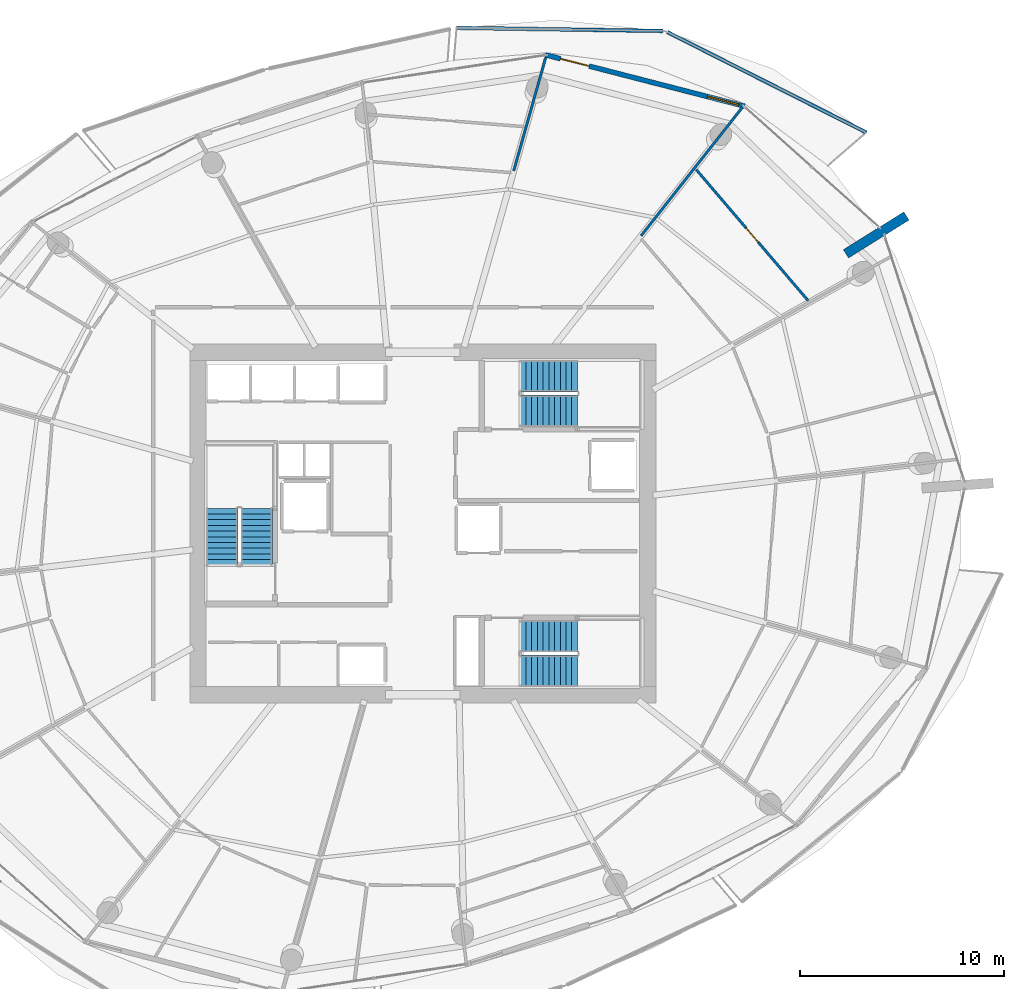
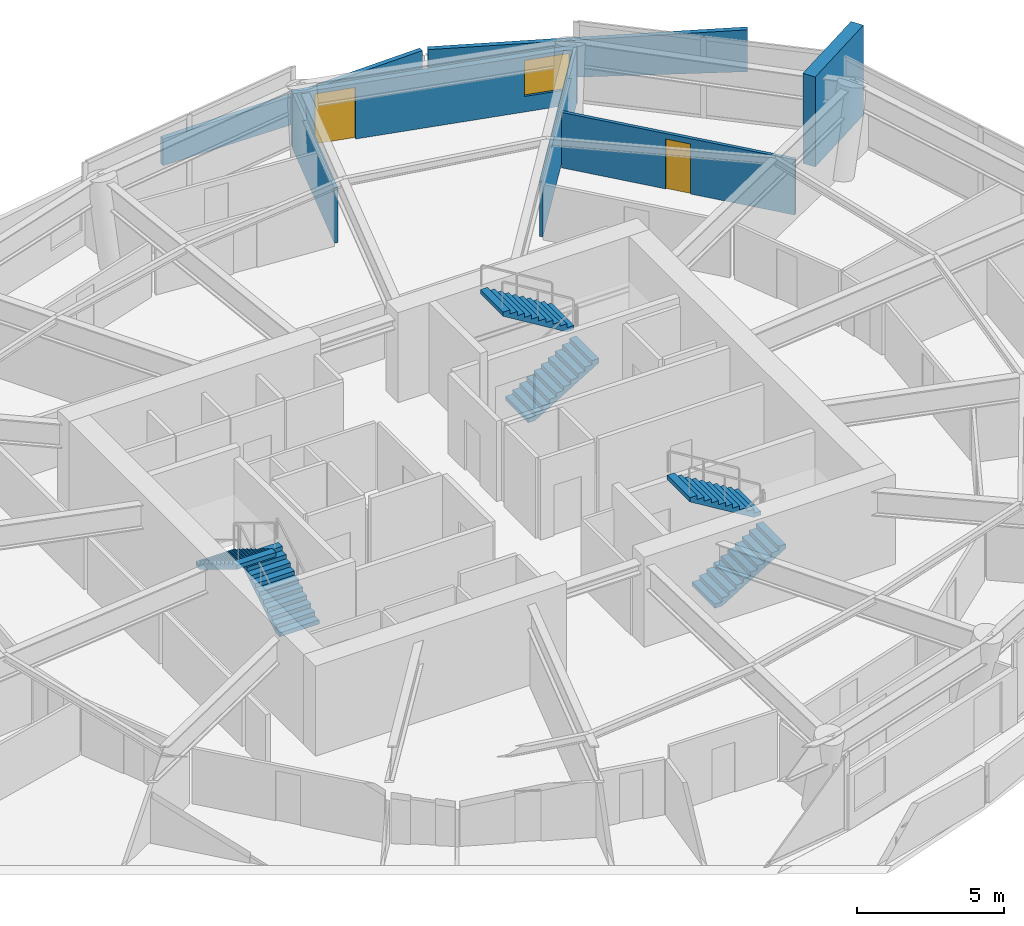
# One storey, part 14 of 19: 7 walls, 6 stair flights, 2 doors, 1 window, 3 openings, 3 elements without a shape of their own.
"""IFC4 building model written with IfcOpenShell, lengths in metres."""

import ifcopenshell
import ifcopenshell.guid

model = None  # the IFC model being written
_history = None  # IfcOwnerHistory: only IFC2X3 demands one
_inside = {}  # id of a spatial element -> (the spatial element, [elements in it])
_under = {}  # id of a project, library or spatial element -> (it, [spatial elements below it])
_declared = {}  # id of a project -> (the project, [libraries it declares])
_typed = {}  # id of a type object -> (the type object, [elements of that type])
_made_of = {}  # id of a material, layer set ... -> (it, [elements and type objects made of it])


def new_model(schema):
    """Start an empty IFC model of exactly this schema.

    Asked for "IFC4X3", IfcOpenShell would pick the latest addendum, in which some entities
    have other attributes; the version numbers below select the first issue.
    IFC2X3 requires an IfcOwnerHistory on every rooted entity: one is made here for all.
    """
    global model, _history
    if schema == "IFC4X3":
        model = ifcopenshell.file(schema_version=(4, 3, 0, 0))
    else:
        model = ifcopenshell.file(schema=schema)
    _inside.clear()
    _under.clear()
    _declared.clear()
    _typed.clear()
    _made_of.clear()
    _history = None
    if model.schema == "IFC2X3":
        org = make("IfcOrganization", Name="unknown")
        user = make(
            "IfcPersonAndOrganization",
            ThePerson=make("IfcPerson", FamilyName="unknown"),
            TheOrganization=org,
        )
        app = make(
            "IfcApplication",
            ApplicationDeveloper=org,
            Version="unknown",
            ApplicationFullName="unknown",
            ApplicationIdentifier="unknown",
        )
        _history = make(
            "IfcOwnerHistory",
            OwningUser=user,
            OwningApplication=app,
            ChangeAction="ADDED",
            CreationDate=0,
        )
    return model


def make(cls, **values):
    """One entity of the class cls with the attributes given. An attribute that is None is left unset."""
    return model.create_entity(
        cls, **{name: value for name, value in values.items() if value is not None}
    )


def rooted(cls, **values):
    """An entity with a GlobalId (a new one), such as an element, a storey or a relation."""
    return make(cls, GlobalId=ifcopenshell.guid.new(), OwnerHistory=_history, **values)


def si_unit(unit_type, name, prefix=None):
    """IfcSIUnit, for example si_unit("LENGTHUNIT", "METRE", prefix="MILLI")."""
    return make("IfcSIUnit", UnitType=unit_type, Prefix=prefix, Name=name)


def assignment(units):
    """IfcUnitAssignment: the units of a project."""
    return None if units is None else make("IfcUnitAssignment", Units=units)


def point(xyz):
    """IfcCartesianPoint."""
    return None if xyz is None else make("IfcCartesianPoint", Coordinates=xyz)


def direction(xyz):
    """IfcDirection."""
    return None if xyz is None else make("IfcDirection", DirectionRatios=xyz)


def frame(location, z_axis=None, x_axis=None):
    """IfcAxis2Placement3D, a coordinate frame: its origin and axes. An axis left out is left unset."""
    return make(
        "IfcAxis2Placement3D",
        Location=point(location),
        Axis=direction(z_axis),
        RefDirection=direction(x_axis),
    )


def frame_2d(location, x_axis=None):
    """IfcAxis2Placement2D, a coordinate frame in the plane: its origin and x axis."""
    return make(
        "IfcAxis2Placement2D", Location=point(location), RefDirection=direction(x_axis)
    )


def origin():
    """The frame at (0, 0, 0) with its axes left unset."""
    return frame((0.0, 0.0, 0.0))


def place(relative_to, where):
    """IfcLocalPlacement: puts the frame where relative to a parent placement (None: the world)."""
    return make(
        "IfcLocalPlacement", PlacementRelTo=relative_to, RelativePlacement=where
    )


def context(
    kind, dimensions, precision=None, world=None, true_north=None, identifier=None
):
    """IfcGeometricRepresentationContext, for example the 3D "Model" context."""
    return make(
        "IfcGeometricRepresentationContext",
        ContextIdentifier=identifier,
        ContextType=kind,
        CoordinateSpaceDimension=dimensions,
        Precision=precision,
        WorldCoordinateSystem=world,
        TrueNorth=true_north,
    )


def subcontext(parent, identifier, kind, view, scale=None):
    """IfcGeometricRepresentationSubContext, for example "Body" below "Model"."""
    return make(
        "IfcGeometricRepresentationSubContext",
        ContextIdentifier=identifier,
        ContextType=kind,
        ParentContext=parent,
        TargetScale=scale,
        TargetView=view,
    )


def project(units=None, contexts=None):
    """IfcProject with its units and contexts."""
    return rooted(
        "IfcProject",
        Name="project",
        RepresentationContexts=contexts,
        UnitsInContext=assignment(units),
    )


def spatial(cls, under=None, at=None, **own):
    """A site, building, storey or space (cls), placed at a placement, below another one or the project."""
    s = rooted(cls, ObjectPlacement=at, **own)
    if under is not None:
        _under.setdefault(under.id(), (under, []))[1].append(s)
    return s


def polyline(points):
    """IfcPolyline through the points."""
    return make("IfcPolyline", Points=[point(p) for p in points])


def profile(cls, at=None, kind="AREA", **sizes):
    """A parametric profile (cls). Its sizes go by their IFC names, for example OverallWidth=200.0."""
    return make(cls, ProfileType=kind, Position=at, **sizes)


def rectangle(**sizes):
    """IfcRectangleProfileDef."""
    return profile("IfcRectangleProfileDef", **sizes)


def outline(outer, holes=None, kind="AREA"):
    """IfcArbitraryClosedProfileDef: a profile drawn as a closed curve; with holes, ...WithVoids."""
    if holes is None:
        return make("IfcArbitraryClosedProfileDef", ProfileType=kind, OuterCurve=outer)
    return make(
        "IfcArbitraryProfileDefWithVoids",
        ProfileType=kind,
        OuterCurve=outer,
        InnerCurves=holes,
    )


def extrude(swept, where, along, depth):
    """IfcExtrudedAreaSolid: the profile swept, set in the frame where, extruded along a direction by depth."""
    return make(
        "IfcExtrudedAreaSolid",
        SweptArea=swept,
        Position=where,
        ExtrudedDirection=direction(along),
        Depth=depth,
    )


def shape(context_of_items, identifier, shape_type, items):
    """IfcShapeRepresentation: the items that make up one representation, for example the "Body"."""
    return make(
        "IfcShapeRepresentation",
        ContextOfItems=context_of_items,
        RepresentationIdentifier=identifier,
        RepresentationType=shape_type,
        Items=items,
    )


def material(Name=None, Category=None):
    """IfcMaterial."""
    return make("IfcMaterial", Name=Name, Category=Category)


def layer(
    of_material, thickness, ventilated=None, Name=None, Category=None, Priority=None
):
    """IfcMaterialLayer: one layer of a wall or slab, of a material (None: an air gap)."""
    return make(
        "IfcMaterialLayer",
        Material=of_material,
        LayerThickness=thickness,
        IsVentilated=ventilated,
        Name=Name,
        Category=Category,
        Priority=Priority,
    )


def layer_set(layers, Name=None):
    """IfcMaterialLayerSet."""
    return make("IfcMaterialLayerSet", MaterialLayers=layers, LayerSetName=Name)


def made_of(thing, what):
    """Note that an element or type object is made of a material, layer set ...; save() writes the relation."""
    if what is not None:
        _made_of.setdefault(what.id(), (what, []))[1].append(thing)
    return thing


def type_object(cls, material=None, **own):
    """A type object (cls), such as IfcWallType, which elements share."""
    return made_of(rooted(cls, **own), material)


def element(
    cls,
    number,
    at=None,
    inside=None,
    cuts=None,
    type_object=None,
    material=None,
    context=None,
    identifier="Body",
    shape_type=None,
    held_by="IfcProductDefinitionShape",
    body=None,
    shapes=None,
    **own,
):
    """One element of the class cls, such as IfcWall. Its Tag is "e" and its number.

    at: its placement. inside: the storey or other place that contains it. cuts: it is an
    opening in that element (IfcRelVoidsElement). A single representation is given by context,
    identifier, shape_type and body (its items); several are given by shapes. held_by: the class
    of the entity that holds the representations. save() writes the other relations.
    """
    e = rooted(cls, Tag="e%d" % number, ObjectPlacement=at, **own)
    if body is not None:
        shapes = [shape(context, identifier, shape_type, body)]
    if shapes is not None:
        e.Representation = make(held_by, Representations=shapes)
    if inside is not None:
        _inside.setdefault(inside.id(), (inside, []))[1].append(e)
    if cuts is not None:
        rooted(
            "IfcRelVoidsElement", RelatingBuildingElement=cuts, RelatedOpeningElement=e
        )
    if type_object is not None:
        _typed.setdefault(type_object.id(), (type_object, []))[1].append(e)
    return made_of(e, material)


def fill(opening, filler):
    """IfcRelFillsElement: the door or window that sits in an opening."""
    return rooted(
        "IfcRelFillsElement",
        RelatingOpeningElement=opening,
        RelatedBuildingElement=filler,
    )


def aggregate(whole, parts):
    """IfcRelAggregates: a whole, such as a stair, and the parts it consists of."""
    return rooted("IfcRelAggregates", RelatingObject=whole, RelatedObjects=parts)


def save(model, path):
    """Write the relations noted so far, then the file.

    IfcRelAggregates (storeys below a building ...), IfcRelContainedInSpatialStructure (elements
    in a storey), IfcRelDefinesByType, IfcRelAssociatesMaterial and IfcRelDeclares: one each for
    every whole, place, type object, material and project.
    """
    for whole, parts in _under.values():
        aggregate(whole, parts)
    for where, things in _inside.values():
        rooted(
            "IfcRelContainedInSpatialStructure",
            RelatedElements=things,
            RelatingStructure=where,
        )
    for kind, things in _typed.values():
        rooted("IfcRelDefinesByType", RelatedObjects=things, RelatingType=kind)
    for what, things in _made_of.values():
        rooted("IfcRelAssociatesMaterial", RelatedObjects=things, RelatingMaterial=what)
    for by, libraries in _declared.values():
        rooted("IfcRelDeclares", RelatingContext=by, RelatedDefinitions=libraries)
    model.write(path)


model = new_model("IFC4")

# Units and contexts
model_context = context("Model", 3, precision=1e-05, world=origin(), true_north=direction((0.0, 1.0)))
body_context = subcontext(model_context, "Body", "Model", "MODEL_VIEW")
ifc_project = project(units=[si_unit("LENGTHUNIT", "METRE"), si_unit("AREAUNIT", "SQUARE_METRE"), si_unit("VOLUMEUNIT", "CUBIC_METRE"), si_unit("PLANEANGLEUNIT", "RADIAN"), si_unit("MASSUNIT", "GRAM", prefix="KILO")], contexts=[model_context])

# Site, building, storey
site_placement = place(None, origin())
site = spatial("IfcSite", under=ifc_project, at=site_placement, CompositionType="ELEMENT")
building_placement = place(site_placement, origin())
building = spatial("IfcBuilding", under=site, at=building_placement, Name="Kazma Halo Residences", CompositionType="ELEMENT")
storey_placement = place(building_placement, frame((0.0, 0.0, 172.800048828125)))
storey = spatial("IfcBuildingStorey", under=building, at=storey_placement, Name="L43", CompositionType="ELEMENT", Elevation=172.800048828125)

# Walls
ifc_material_1 = material(Name="White Concrete C50/60 Balustrade", Category="concrete")
ifc_layer_1 = layer(ifc_material_1, 0.179931640625)
ifc_layer_set_1 = layer_set([ifc_layer_1], Name="White Concrete C50/60 Balustrade")
wall_type_1 = type_object("IfcWallType", Name="WL-BAL-WAVE-180", PredefinedType="PARAPET", material=ifc_layer_set_1)
wall_1_placement = place(storey_placement, frame((70.169921875, 61.170166015625, 0.0), z_axis=(0.0, 0.0, 1.0), x_axis=(-0.892736735019, 0.450578652344, 0.0)))
element("IfcWall", 1, at=wall_1_placement, inside=storey, type_object=wall_type_1, Name="L43 white wave balustrade wall NE.1", PredefinedType="PARAPET", context=body_context, shape_type="SweptSolid", body=[
    extrude(outline(polyline([(0.0, 0.0), (10.930419921875, 0.0), (10.930419921875, 1.347900390625), (5.46533203125, 1.56201171875), (0.0, 1.7470703125), (0.0, 0.0)])), frame((0.0, 0.08984375, 0.0), z_axis=(0.0, -1.0, 0.0), x_axis=(1.0, 0.0, 0.0)), (0.0, 0.0, 1.0), 0.179931640625),
])
wall_2_placement = place(storey_placement, frame((60.184814453125, 66.151123046875, 0.0), z_axis=(0.0, 0.0, 1.0), x_axis=(-0.999886405962, 0.015072331381, 0.0)))
element("IfcWall", 2, at=wall_2_placement, inside=storey, type_object=wall_type_1, Name="L43 white wave balustrade wall NE.2", PredefinedType="PARAPET", context=body_context, shape_type="SweptSolid", body=[
    extrude(outline(polyline([(0.0, 0.0), (10.123779296875, 0.0), (10.12353515625, 1.119873046875), (5.061767578125, 1.181884765625), (0.0, 1.347900390625), (0.0, 0.0)])), frame((0.0, 0.08984375, 0.0), z_axis=(0.0, -1.0, 0.0), x_axis=(1.0, 0.0, 0.0)), (0.0, 0.0, 1.0), 0.179931640625),
])
ifc_material_2 = material(Name="Pale Concrete C60/75", Category="concrete")
ifc_layer_2 = layer(ifc_material_2, 0.47998046875)
ifc_layer_set_2 = layer_set([ifc_layer_2], Name="Pale Concrete C60/75")
wall_type_2 = type_object("IfcWallType", Name="WL-BLADE-480", PredefinedType="SOLIDWALL", material=ifc_layer_set_2)
wall_3_placement = place(storey_placement, frame((69.165283203125, 55.2255859375, 0.0), z_axis=(0.0, 0.0, 1.0), x_axis=(0.848053161125, 0.529911158502, 0.0)))
element("IfcWall", 3, at=wall_3_placement, inside=storey, type_object=wall_type_2, Name="L43 pale concrete structural blade fin wall BW-01", PredefinedType="SOLIDWALL", context=body_context, shape_type="SweptSolid", body=[
    extrude(rectangle(XDim=3.5, YDim=0.47998046875, at=frame_2d((1.75, 0.0))), origin(), (0.0, 0.0, 1.0), 3.75),
])

# Wall, openings, door, window
ifc_material_3 = material(Name="Insulated Pale-Metal Composite Wall")
ifc_layer_3 = layer(ifc_material_3, 0.239990234375)
ifc_layer_set_3 = layer_set([ifc_layer_3], Name="Insulated Pale-Metal Composite Wall")
wall_type_3 = type_object("IfcWallType", Name="WL-EXT-HOST-240", PredefinedType="SOLIDWALL", material=ifc_layer_set_3)
wall_4_placement = place(storey_placement, frame((64.192138671875, 62.4658203125, 0.0), z_axis=(0.0, 0.0, 1.0), x_axis=(-0.968379685126, 0.249481032214, 0.0)))
wall_4 = element("IfcWall", 4, at=wall_4_placement, inside=storey, type_object=wall_type_3, Name="L43 exterior terrace-access wall B02", PredefinedType="SOLIDWALL", context=body_context, shape_type="SweptSolid", body=[
    extrude(rectangle(XDim=10.08154296875, YDim=0.239990234375, at=frame_2d((5.040771484375, 0.0))), origin(), (0.0, 0.0, 1.0), 2.300048828125),
])
opening_1_placement = place(wall_4_placement, frame((7.861572265625, 0.0, 0.0)))
opening_1 = element("IfcOpeningElement", 5, at=opening_1_placement, cuts=wall_4, Name="Opening DTR-1600", PredefinedType="OPENING", context=body_context, shape_type="SweptSolid", body=[
    extrude(rectangle(XDim=1.449951171875, YDim=2.14990234375, at=frame_2d((0.72509765625, 1.074951171875))), frame((0.0, 0.1298828125, 0.0), z_axis=(0.0, -1.0, 0.0), x_axis=(1.0, 0.0, 0.0)), (0.0, 0.0, 1.0), 0.260009765625),
])
opening_2_placement = place(wall_4_placement, frame((0.280029296875, 0.0, 0.64990234375)))
opening_2 = element("IfcOpeningElement", 6, at=opening_2_placement, cuts=wall_4, Name="Opening W-1800", PredefinedType="OPENING", context=body_context, shape_type="SweptSolid", body=[
    extrude(rectangle(XDim=1.60009765625, YDim=1.5, at=frame_2d((0.800048828125, 0.75))), frame((0.0, 0.1298828125, 0.0), z_axis=(0.0, -1.0, 0.0), x_axis=(1.0, 0.0, 0.0)), (0.0, 0.0, 1.0), 0.260009765625),
])
ifc_material_4 = material(Name="Aluminium AW-6063 T6 Double-Glazed Terrace Door", Category="aluminium")
door_type_1 = type_object("IfcDoorType", Name="DR-EXT-TERR-1600", OperationType="NOTDEFINED", PredefinedType="DOOR", material=ifc_material_4)
door_1_placement = place(opening_1_placement, origin())
door_1 = element("IfcDoor", 7, at=door_1_placement, inside=storey, type_object=door_type_1, Name="L43 B02 balcony terrace door", OperationType="DOUBLE_DOOR_SLIDING", OverallHeight=2.14990234375, OverallWidth=1.449951171875, PredefinedType="DOOR", context=body_context, shape_type="SweptSolid", body=[
    extrude(rectangle(XDim=1.449951171875, YDim=2.14990234375, at=frame_2d((0.72509765625, 1.074951171875))), frame((0.0, 0.02490234375, 0.0), z_axis=(0.0, -1.0, 0.0), x_axis=(1.0, 0.0, 0.0)), (0.0, 0.0, 1.0), 0.050048828125),
])
fill(opening_1, door_1)
ifc_material_5 = material(Name="Clear Triple-Silver Low-E Glass in Aluminium AW-6063 T6 Frame", Category="aluminium")
window_type = type_object("IfcWindowType", Name="WIN-RES-1800", PartitioningType="DOUBLE_PANEL_VERTICAL", PredefinedType="WINDOW", material=ifc_material_5)
window_placement = place(opening_2_placement, origin())
window = element("IfcWindow", 8, at=window_placement, inside=storey, type_object=window_type, Name="L43 B02 apartment window", OverallHeight=1.5, OverallWidth=1.60009765625, PartitioningType="SINGLE_PANEL", PredefinedType="WINDOW", context=body_context, shape_type="SweptSolid", body=[
    extrude(rectangle(XDim=1.60009765625, YDim=1.5, at=frame_2d((0.800048828125, 0.75))), frame((0.0, 0.030029296875, 0.0), z_axis=(0.0, -1.0, 0.0), x_axis=(1.0, 0.0, 0.0)), (0.0, 0.0, 1.0), 0.06005859375),
])
fill(opening_2, window)

# Wall
ifc_material_6 = material(Name="Gypsum Plasterboard Partition")
ifc_layer_4 = layer(ifc_material_6, 0.125)
ifc_layer_set_4 = layer_set([ifc_layer_4], Name="Gypsum Plasterboard Partition")
wall_type_4 = type_object("IfcWallType", Name="WL-PART-125", PredefinedType="PARTITIONING", material=ifc_layer_set_4)
wall_5_placement = place(storey_placement, frame((59.125, 56.112060546875, 0.0), z_axis=(0.0, 0.0, 1.0), x_axis=(0.61910151414, 0.78531096719, 0.0)))
element("IfcWall", 9, at=wall_5_placement, inside=storey, type_object=wall_type_4, Name="L43 Apartment 2 living radial partition 0", PredefinedType="PARTITIONING", context=body_context, shape_type="SweptSolid", body=[
    extrude(rectangle(XDim=8.081787109375, YDim=0.125, at=frame_2d((4.041015625, 0.0))), origin(), (0.0, 0.0, 1.0), 2.306884765625),
])

# Wall, opening, door
wall_6_placement = place(storey_placement, frame((67.305908203125, 52.935302734375, 0.0), z_axis=(0.0, 0.0, 1.0), x_axis=(-0.649454860638, 0.760400147287, 0.0)))
wall_6 = element("IfcWall", 10, at=wall_6_placement, inside=storey, type_object=wall_type_4, Name="L43 Apartment 2 Primary Master Bedroom divider wall", PredefinedType="PARTITIONING", context=body_context, shape_type="SweptSolid", body=[
    extrude(rectangle(XDim=8.44580078125, YDim=0.125, at=frame_2d((4.222900390625, 0.0))), origin(), (0.0, 0.0, 1.0), 2.306884765625),
])
opening_3_placement = place(wall_6_placement, frame((3.772705078125, 0.0, 0.0)))
opening_3 = element("IfcOpeningElement", 11, at=opening_3_placement, cuts=wall_6, Name="Opening DI-950", PredefinedType="OPENING", context=body_context, shape_type="SweptSolid", body=[
    extrude(rectangle(XDim=0.89990234375, YDim=2.080078125, at=frame_2d((0.449951171875, 1.0400390625))), frame((0.0, 0.072509765625, 0.0), z_axis=(0.0, -1.0, 0.0), x_axis=(1.0, 0.0, 0.0)), (0.0, 0.0, 1.0), 0.14501953125),
])
ifc_material_7 = material(Name="Timber Veneer Flush Leaf", Category="wood")
door_type_2 = type_object("IfcDoorType", Name="DR-INT-950", OperationType="NOTDEFINED", PredefinedType="DOOR", material=ifc_material_7)
door_2_placement = place(opening_3_placement, origin())
door_2 = element("IfcDoor", 12, at=door_2_placement, inside=storey, type_object=door_type_2, Name="L43 Apartment 2 Primary Master Bedroom door", OperationType="SINGLE_SWING_LEFT", OverallHeight=2.080078125, OverallWidth=0.89990234375, PredefinedType="DOOR", context=body_context, shape_type="SweptSolid", body=[
    extrude(rectangle(XDim=0.89990234375, YDim=2.080078125, at=frame_2d((0.449951171875, 1.0400390625))), frame((0.0, 0.02490234375, 0.0), z_axis=(0.0, -1.0, 0.0), x_axis=(1.0, 0.0, 0.0)), (0.0, 0.0, 1.0), 0.050048828125),
])
fill(opening_3, door_2)

# Wall
wall_7_placement = place(storey_placement, frame((52.877685546875, 59.29541015625, 0.0), z_axis=(0.0, 0.0, 1.0), x_axis=(0.271461170106, 0.962449392501, 0.0)))
element("IfcWall", 13, at=wall_7_placement, inside=storey, type_object=wall_type_4, Name="L43 Apartment 2 radial partition 2", PredefinedType="PARTITIONING", context=body_context, shape_type="SweptSolid", body=[
    extrude(rectangle(XDim=5.769287109375, YDim=0.125, at=frame_2d((2.884765625, 0.0))), origin(), (0.0, 0.0, 1.0), 2.306884765625),
])

# Stair, stair flights
ifc_material_8 = material(Name="Concrete C50/60", Category="concrete")
stair_type = type_object("IfcStairType", Name="STR-RES1", PredefinedType="HALF_TURN_STAIR", material=ifc_material_8)
stair_1_placement = place(storey_placement, origin())
stair_1 = element("IfcStair", 14, at=stair_1_placement, inside=storey, type_object=stair_type, Name="L43 Core exit stair ST-01", PredefinedType="HALF_TURN_STAIR")
stair_flight_type = type_object("IfcStairFlightType", Name="STR-RES1-FLT", PredefinedType="STRAIGHT", material=ifc_material_8)
stair_flight_1_placement = place(storey_placement, frame((40.27490234375, 39.949951171875, 0.0), z_axis=(0.0, 0.0, 1.0), x_axis=(0.0, 1.0, 0.0)))
stair_flight_1 = element("IfcStairFlight", 15, at=stair_flight_1_placement, type_object=stair_flight_type, Name="ST-01 flight 1", NumberOfRisers=11, NumberOfTreads=10, PredefinedType="STRAIGHT", RiserHeight=0.170454545, TreadLength=0.28, context=body_context, shape_type="SweptSolid", body=[
    extrude(outline(polyline([(0.0, 0.0), (0.0, 0.17041015625), (0.280029296875, 0.17041015625), (0.280029296875, 0.3408203125), (0.56005859375, 0.3408203125), (0.56005859375, 0.511474609375), (0.840087890625, 0.511474609375), (0.840087890625, 0.681884765625), (1.1201171875, 0.681884765625), (1.1201171875, 0.852294921875), (1.39990234375, 0.852294921875), (1.39990234375, 1.022705078125), (1.679931640625, 1.022705078125), (1.679931640625, 1.193115234375), (1.9599609375, 1.193115234375), (1.9599609375, 1.363525390625), (2.239990234375, 1.363525390625), (2.239990234375, 1.5341796875), (2.52001953125, 1.5341796875), (2.52001953125, 1.70458984375), (2.800048828125, 1.70458984375), (2.800048828125, 1.875), (2.800048828125, 1.529052734375), (0.288330078125, 0.0), (0.0, 0.0)])), frame((0.0, 0.77490234375, 0.0), z_axis=(0.0, -1.0, 0.0), x_axis=(1.0, 0.0, 0.0)), (0.0, 0.0, 1.0), 1.550048828125),
])
stair_flight_2_placement = place(storey_placement, frame((38.574951171875, 42.75, 1.875), z_axis=(0.0, 0.0, 1.0), x_axis=(0.0, -1.0, 0.0)))
stair_flight_2 = element("IfcStairFlight", 16, at=stair_flight_2_placement, type_object=stair_flight_type, Name="ST-01 flight 2", NumberOfRisers=11, NumberOfTreads=10, PredefinedType="STRAIGHT", RiserHeight=0.170454545, TreadLength=0.28, context=body_context, shape_type="SweptSolid", body=[
    extrude(outline(polyline([(0.0, 0.0), (0.0, 0.17041015625), (0.280029296875, 0.17041015625), (0.280029296875, 0.3408203125), (0.56005859375, 0.3408203125), (0.56005859375, 0.511474609375), (0.840087890625, 0.511474609375), (0.840087890625, 0.681884765625), (1.1201171875, 0.681884765625), (1.1201171875, 0.852294921875), (1.39990234375, 0.852294921875), (1.39990234375, 1.022705078125), (1.679931640625, 1.022705078125), (1.679931640625, 1.193115234375), (1.9599609375, 1.193115234375), (1.9599609375, 1.363525390625), (2.239990234375, 1.363525390625), (2.239990234375, 1.5341796875), (2.52001953125, 1.5341796875), (2.52001953125, 1.70458984375), (2.800048828125, 1.70458984375), (2.800048828125, 1.875), (2.800048828125, 1.529052734375), (0.288330078125, 0.0), (0.0, 0.0)])), frame((0.0, 0.77490234375, 0.0), z_axis=(0.0, -1.0, 0.0), x_axis=(1.0, 0.0, 0.0)), (0.0, 0.0, 1.0), 1.550048828125),
])
aggregate(stair_1, [stair_flight_1, stair_flight_2])

stair_2_placement = place(storey_placement, origin())
stair_2 = element("IfcStair", 17, at=stair_2_placement, inside=storey, type_object=stair_type, Name="L43 Core exit stair ST-02", PredefinedType="HALF_TURN_STAIR")
stair_flight_3_placement = place(storey_placement, frame((53.199951171875, 47.52490234375, 0.0), z_axis=(0.0, 0.0, 1.0), x_axis=(1.0, 0.0, 0.0)))
stair_flight_3 = element("IfcStairFlight", 18, at=stair_flight_3_placement, type_object=stair_flight_type, Name="ST-02 flight 1", NumberOfRisers=11, NumberOfTreads=10, PredefinedType="STRAIGHT", RiserHeight=0.170454545, TreadLength=0.28, context=body_context, shape_type="SweptSolid", body=[
    extrude(outline(polyline([(0.0, 0.0), (0.0, 0.17041015625), (0.280029296875, 0.17041015625), (0.280029296875, 0.3408203125), (0.56005859375, 0.3408203125), (0.56005859375, 0.511474609375), (0.840087890625, 0.511474609375), (0.840087890625, 0.681884765625), (1.1201171875, 0.681884765625), (1.1201171875, 0.852294921875), (1.39990234375, 0.852294921875), (1.39990234375, 1.022705078125), (1.679931640625, 1.022705078125), (1.679931640625, 1.193115234375), (1.9599609375, 1.193115234375), (1.9599609375, 1.363525390625), (2.239990234375, 1.363525390625), (2.239990234375, 1.5341796875), (2.52001953125, 1.5341796875), (2.52001953125, 1.70458984375), (2.800048828125, 1.70458984375), (2.800048828125, 1.875), (2.800048828125, 1.529052734375), (0.288330078125, 0.0), (0.0, 0.0)])), frame((0.0, 0.77490234375, 0.0), z_axis=(0.0, -1.0, 0.0), x_axis=(1.0, 0.0, 0.0)), (0.0, 0.0, 1.0), 1.550048828125),
])
stair_flight_4_placement = place(storey_placement, frame((56.0, 49.22509765625, 1.875), z_axis=(0.0, 0.0, 1.0), x_axis=(-1.0, 0.0, 0.0)))
stair_flight_4 = element("IfcStairFlight", 19, at=stair_flight_4_placement, type_object=stair_flight_type, Name="ST-02 flight 2", NumberOfRisers=11, NumberOfTreads=10, PredefinedType="STRAIGHT", RiserHeight=0.170454545, TreadLength=0.28, context=body_context, shape_type="SweptSolid", body=[
    extrude(outline(polyline([(0.0, 0.0), (0.0, 0.17041015625), (0.280029296875, 0.17041015625), (0.280029296875, 0.3408203125), (0.56005859375, 0.3408203125), (0.56005859375, 0.511474609375), (0.840087890625, 0.511474609375), (0.840087890625, 0.681884765625), (1.1201171875, 0.681884765625), (1.1201171875, 0.852294921875), (1.39990234375, 0.852294921875), (1.39990234375, 1.022705078125), (1.679931640625, 1.022705078125), (1.679931640625, 1.193115234375), (1.9599609375, 1.193115234375), (1.9599609375, 1.363525390625), (2.239990234375, 1.363525390625), (2.239990234375, 1.5341796875), (2.52001953125, 1.5341796875), (2.52001953125, 1.70458984375), (2.800048828125, 1.70458984375), (2.800048828125, 1.875), (2.800048828125, 1.529052734375), (0.288330078125, 0.0), (0.0, 0.0)])), frame((0.0, 0.77490234375, 0.0), z_axis=(0.0, -1.0, 0.0), x_axis=(1.0, 0.0, 0.0)), (0.0, 0.0, 1.0), 1.550048828125),
])
aggregate(stair_2, [stair_flight_3, stair_flight_4])

stair_3_placement = place(storey_placement, origin())
stair_3 = element("IfcStair", 20, at=stair_3_placement, inside=storey, type_object=stair_type, Name="L43 Core exit stair ST-03", PredefinedType="HALF_TURN_STAIR")
stair_flight_5_placement = place(storey_placement, frame((53.199951171875, 34.77490234375, 0.0), z_axis=(0.0, 0.0, 1.0), x_axis=(1.0, 0.0, 0.0)))
stair_flight_5 = element("IfcStairFlight", 21, at=stair_flight_5_placement, type_object=stair_flight_type, Name="ST-03 flight 1", NumberOfRisers=11, NumberOfTreads=10, PredefinedType="STRAIGHT", RiserHeight=0.170454545, TreadLength=0.28, context=body_context, shape_type="SweptSolid", body=[
    extrude(outline(polyline([(0.0, 0.0), (0.0, 0.17041015625), (0.280029296875, 0.17041015625), (0.280029296875, 0.3408203125), (0.56005859375, 0.3408203125), (0.56005859375, 0.511474609375), (0.840087890625, 0.511474609375), (0.840087890625, 0.681884765625), (1.1201171875, 0.681884765625), (1.1201171875, 0.852294921875), (1.39990234375, 0.852294921875), (1.39990234375, 1.022705078125), (1.679931640625, 1.022705078125), (1.679931640625, 1.193115234375), (1.9599609375, 1.193115234375), (1.9599609375, 1.363525390625), (2.239990234375, 1.363525390625), (2.239990234375, 1.5341796875), (2.52001953125, 1.5341796875), (2.52001953125, 1.70458984375), (2.800048828125, 1.70458984375), (2.800048828125, 1.875), (2.800048828125, 1.529052734375), (0.288330078125, 0.0), (0.0, 0.0)])), frame((0.0, 0.77490234375, 0.0), z_axis=(0.0, -1.0, 0.0), x_axis=(1.0, 0.0, 0.0)), (0.0, 0.0, 1.0), 1.550048828125),
])
stair_flight_6_placement = place(storey_placement, frame((56.0, 36.47509765625, 1.875), z_axis=(0.0, 0.0, 1.0), x_axis=(-1.0, 0.0, 0.0)))
stair_flight_6 = element("IfcStairFlight", 22, at=stair_flight_6_placement, type_object=stair_flight_type, Name="ST-03 flight 2", NumberOfRisers=11, NumberOfTreads=10, PredefinedType="STRAIGHT", RiserHeight=0.170454545, TreadLength=0.28, context=body_context, shape_type="SweptSolid", body=[
    extrude(outline(polyline([(0.0, 0.0), (0.0, 0.17041015625), (0.280029296875, 0.17041015625), (0.280029296875, 0.3408203125), (0.56005859375, 0.3408203125), (0.56005859375, 0.511474609375), (0.840087890625, 0.511474609375), (0.840087890625, 0.681884765625), (1.1201171875, 0.681884765625), (1.1201171875, 0.852294921875), (1.39990234375, 0.852294921875), (1.39990234375, 1.022705078125), (1.679931640625, 1.022705078125), (1.679931640625, 1.193115234375), (1.9599609375, 1.193115234375), (1.9599609375, 1.363525390625), (2.239990234375, 1.363525390625), (2.239990234375, 1.5341796875), (2.52001953125, 1.5341796875), (2.52001953125, 1.70458984375), (2.800048828125, 1.70458984375), (2.800048828125, 1.875), (2.800048828125, 1.529052734375), (0.288330078125, 0.0), (0.0, 0.0)])), frame((0.0, 0.77490234375, 0.0), z_axis=(0.0, -1.0, 0.0), x_axis=(1.0, 0.0, 0.0)), (0.0, 0.0, 1.0), 1.550048828125),
])
aggregate(stair_3, [stair_flight_5, stair_flight_6])

save(model, "model.ifc")
